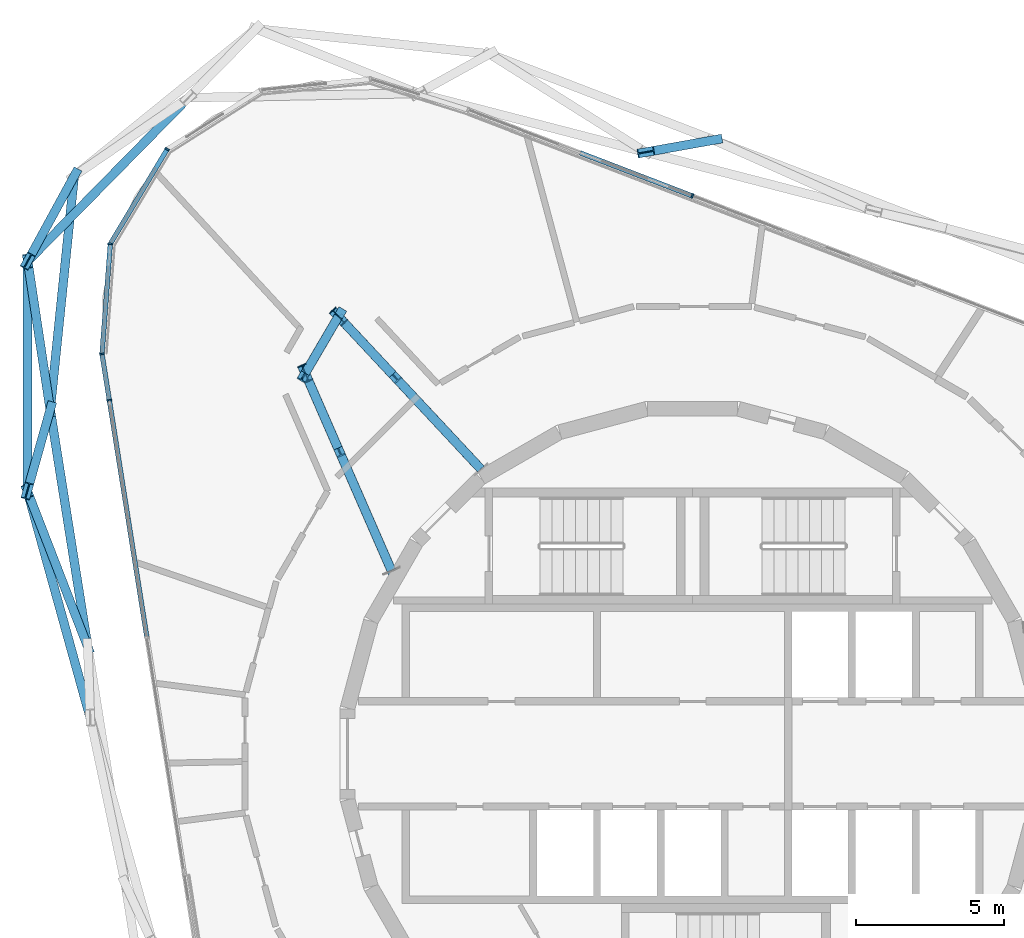
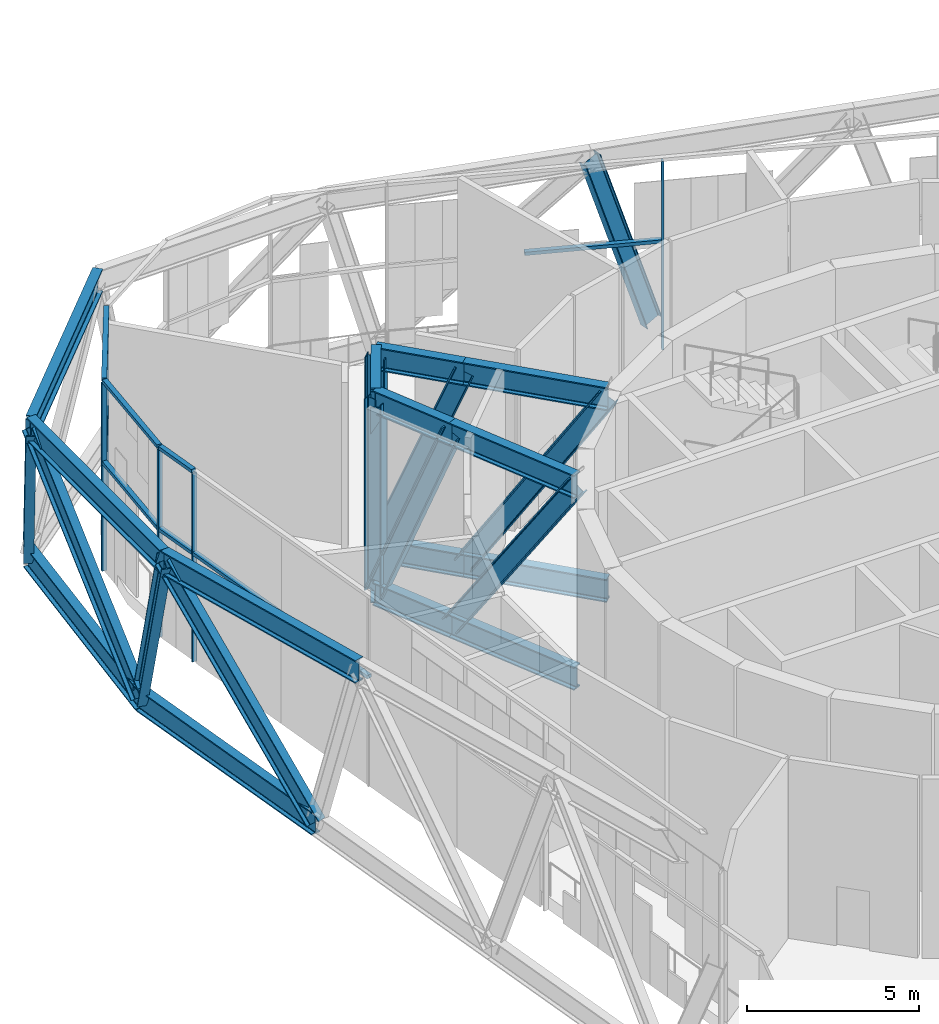
# One storey, part 6 of 25: 41 members, 3 elements without a shape of their own.
"""IFC4 building model written with IfcOpenShell, lengths in metres."""

from ifc_helpers import new_model, si_unit, direction, frame, origin, origin_2d, place, context, subcontext, project, spatial, rectangle, i_section, extrude, material, layer, layer_set, material_profile, profile_set, type_object, element, aggregate, save


model = new_model("IFC4")

# Units and contexts
model_context = context("Model", 3, precision=1e-05, world=origin(), true_north=direction((0.0, 1.0)))
body_context = subcontext(model_context, "Body", "Model", "MODEL_VIEW")
ifc_project = project(units=[si_unit("LENGTHUNIT", "METRE"), si_unit("AREAUNIT", "SQUARE_METRE"), si_unit("VOLUMEUNIT", "CUBIC_METRE"), si_unit("PLANEANGLEUNIT", "RADIAN"), si_unit("MASSUNIT", "GRAM", prefix="KILO")], contexts=[model_context])

# Site, building, storey
site_placement = place(None, origin())
site = spatial("IfcSite", under=ifc_project, at=site_placement, CompositionType="ELEMENT")
building_placement = place(site_placement, origin())
building = spatial("IfcBuilding", under=site, at=building_placement, Name="Spindle Arch Residences", CompositionType="ELEMENT")
storey_placement = place(building_placement, frame((0.0, 0.0, 291.39990234375)))
storey = spatial("IfcBuildingStorey", under=building, at=storey_placement, Name="L75", CompositionType="ELEMENT", Elevation=291.39990234375)

# Members
ifc_material_1 = material(Name="Steel S460ML, intumescent coating R 240", Category="steel")
ifc_material_profile_1 = material_profile(ifc_material_1, i_section(OverallWidth=0.302978515625, OverallDepth=0.81396484375, WebThickness=0.02099609375, FlangeThickness=0.0400390625, FilletRadius=0.030029296875, at=origin_2d()), Name="HEM 800")
ifc_profile_set_1 = profile_set([ifc_material_profile_1], Name="Steel S460ML, intumescent coating R 240")
member_type_1 = type_object("IfcMemberType", Name="Belt truss chord HEM 800", PredefinedType="CHORD", material=ifc_profile_set_1)
member_1_placement = place(storey_placement, frame((-20.870361328125, 19.502685546875, -0.85693359375), z_axis=(-0.102195279629, -0.994764356429, 0.0), x_axis=(0.994764356429, -0.102195279629, 0.0)))
element("IfcMember", 1, at=member_1_placement, inside=storey, type_object=member_type_1, Name="Belt truss bottom chord L75.11", PredefinedType="CHORD", context=body_context, shape_type="SweptSolid", body=[
    extrude(i_section(OverallWidth=0.302978515625, OverallDepth=0.81396484375, WebThickness=0.02099609375, FlangeThickness=0.0400390625, FilletRadius=0.030029296875, at=origin_2d()), origin(), (0.0, 0.0, 1.0), 7.928955078125),
])
member_2_placement = place(storey_placement, frame((-21.6806640625, 11.615234375, -0.85693359375), z_axis=(0.15643883454, -0.987687648524, 0.0), x_axis=(0.987687648524, 0.15643883454, 0.0)))
element("IfcMember", 2, at=member_2_placement, inside=storey, type_object=member_type_1, Name="Belt truss bottom chord L75.12", PredefinedType="CHORD", context=body_context, shape_type="SweptSolid", body=[
    extrude(i_section(OverallWidth=0.302978515625, OverallDepth=0.81396484375, WebThickness=0.02099609375, FlangeThickness=0.0400390625, FilletRadius=0.030029296875, at=origin_2d()), origin(), (0.0, 0.0, 1.0), 8.107421875),
])
member_3_placement = place(storey_placement, frame((-17.0185546875, 22.144775390625, 5.943115234375), z_axis=(-0.700907435334, -0.71325224647, 0.0), x_axis=(0.71325224647, -0.700907435334, 0.0)))
element("IfcMember", 3, at=member_3_placement, inside=storey, type_object=member_type_1, Name="Belt truss top chord L75.10", PredefinedType="CHORD", context=body_context, shape_type="SweptSolid", body=[
    extrude(i_section(OverallWidth=0.302978515625, OverallDepth=0.81396484375, WebThickness=0.02099609375, FlangeThickness=0.0400390625, FilletRadius=0.030029296875, at=origin_2d()), origin(), (0.0, 0.0, 1.0), 7.732666015625),
])
member_4_placement = place(storey_placement, frame((-22.4384765625, 16.62939453125, 5.943115234375), z_axis=(-0.001699125957, -0.999998556484, 0.0), x_axis=(0.999998556484, -0.001699125957, 0.0)))
element("IfcMember", 4, at=member_4_placement, inside=storey, type_object=member_type_1, Name="Belt truss top chord L75.11", PredefinedType="CHORD", context=body_context, shape_type="SweptSolid", body=[
    extrude(i_section(OverallWidth=0.302978515625, OverallDepth=0.81396484375, WebThickness=0.02099609375, FlangeThickness=0.0400390625, FilletRadius=0.030029296875, at=origin_2d()), origin(), (0.0, 0.0, 1.0), 7.759033203125),
])
member_5_placement = place(storey_placement, frame((-22.45166015625, 8.870361328125, 5.943115234375), z_axis=(0.26724395521, -0.963628905961, 0.0), x_axis=(0.963628905961, 0.26724395521, 0.0)))
element("IfcMember", 5, at=member_5_placement, inside=storey, type_object=member_type_1, Name="Belt truss top chord L75.12", PredefinedType="CHORD", context=body_context, shape_type="SweptSolid", body=[
    extrude(i_section(OverallWidth=0.302978515625, OverallDepth=0.81396484375, WebThickness=0.02099609375, FlangeThickness=0.0400390625, FilletRadius=0.030029296875, at=origin_2d()), origin(), (0.0, 0.0, 1.0), 7.93505859375),
])
ifc_material_2 = material(Name="Steel S460ML, intumescent coating R 240", Category="steel")
ifc_material_profile_2 = material_profile(ifc_material_2, i_section(OverallWidth=0.300048828125, OverallDepth=0.60009765625, WebThickness=0.015380859375, FlangeThickness=0.030029296875, FilletRadius=0.027099609375, at=origin_2d()), Name="HEB 600")
ifc_profile_set_2 = profile_set([ifc_material_profile_2], Name="Steel S460ML, intumescent coating R 240")
member_type_2 = type_object("IfcMemberType", Name="Belt truss diagonal HEB 600", PredefinedType="BRACE", material=ifc_profile_set_2)
member_6_placement = place(storey_placement, frame((0.715087890625, 20.71630859375, -0.85693359375), z_axis=(-0.319094609411, -0.056992097349, 0.946007680246), x_axis=(0.175823277356, -0.98442174658, 0.0)))
element("IfcMember", 6, at=member_6_placement, inside=storey, type_object=member_type_2, Name="Belt truss diagonal L75.8.8", PredefinedType="BRACE", context=body_context, shape_type="SweptSolid", body=[
    extrude(i_section(OverallWidth=0.300048828125, OverallDepth=0.60009765625, WebThickness=0.015380859375, FlangeThickness=0.030029296875, FilletRadius=0.027099609375, at=origin_2d()), origin(), (0.0, 0.0, 1.0), 7.188232421875),
])
member_7_placement = place(storey_placement, frame((-20.870361328125, 19.502685546875, -0.85693359375), z_axis=(-0.207783150793, -0.380725502363, 0.901040650635), x_axis=(0.877784385175, -0.479055918598, 0.0)))
element("IfcMember", 7, at=member_7_placement, inside=storey, type_object=member_type_2, Name="Belt truss diagonal L75.11.11", PredefinedType="BRACE", context=body_context, shape_type="SweptSolid", body=[
    extrude(i_section(OverallWidth=0.300048828125, OverallDepth=0.60009765625, WebThickness=0.015380859375, FlangeThickness=0.030029296875, FilletRadius=0.027099609375, at=origin_2d()), origin(), (0.0, 0.0, 1.0), 7.546875),
])
member_8_placement = place(storey_placement, frame((-21.6806640625, 11.615234375, -0.85693359375), z_axis=(-0.089335897953, 0.591102020668, 0.801634267293), x_axis=(-0.988771185413, -0.149437421342, 0.0)))
element("IfcMember", 8, at=member_8_placement, inside=storey, type_object=member_type_2, Name="Belt truss diagonal L75.11.12", PredefinedType="BRACE", context=body_context, shape_type="SweptSolid", body=[
    extrude(i_section(OverallWidth=0.300048828125, OverallDepth=0.60009765625, WebThickness=0.015380859375, FlangeThickness=0.030029296875, FilletRadius=0.027099609375, at=origin_2d()), origin(), (0.0, 0.0, 1.0), 8.482666015625),
])
member_9_placement = place(storey_placement, frame((-21.6806640625, 11.615234375, -0.85693359375), z_axis=(-0.10456222097, -0.372258723992, 0.922220247207), x_axis=(0.962742250235, -0.270420708551, 0.0)))
element("IfcMember", 9, at=member_9_placement, inside=storey, type_object=member_type_2, Name="Belt truss diagonal L75.12.12", PredefinedType="BRACE", context=body_context, shape_type="SweptSolid", body=[
    extrude(i_section(OverallWidth=0.300048828125, OverallDepth=0.60009765625, WebThickness=0.015380859375, FlangeThickness=0.030029296875, FilletRadius=0.027099609375, at=origin_2d()), origin(), (0.0, 0.0, 1.0), 7.37353515625),
])
member_10_placement = place(storey_placement, frame((-20.412353515625, 3.607666015625, -0.85693359375), z_axis=(-0.230764932529, 0.595518841804, 0.76948349883), x_axis=(-0.9324407365, -0.361322948227, 0.0)))
element("IfcMember", 10, at=member_10_placement, inside=storey, type_object=member_type_2, Name="Belt truss diagonal L75.12.13", PredefinedType="BRACE", context=body_context, shape_type="SweptSolid", body=[
    extrude(i_section(OverallWidth=0.300048828125, OverallDepth=0.60009765625, WebThickness=0.015380859375, FlangeThickness=0.030029296875, FilletRadius=0.027099609375, at=origin_2d()), origin(), (0.0, 0.0, 1.0), 8.837158203125),
])

# Curtain wall, member
ifc_material_3 = material(Name="Aluminium bronze unitised frame with tinted glass", Category="aluminium")
ifc_layer = layer(ifc_material_3, 0.159912109375)
ifc_layer_set = layer_set([ifc_layer], Name="CW-E double-height winter garden wall")
curtain_wall_type = type_object("IfcCurtainWallType", Name="CW-E double-height winter garden wall", PredefinedType="NOTDEFINED", material=ifc_layer_set)
curtain_wall_1_placement = place(storey_placement, origin())
curtain_wall_1 = element("IfcCurtainWall", 11, at=curtain_wall_1_placement, inside=storey, type_object=curtain_wall_type, Name="CW-E L75 run 2", PredefinedType="NOTDEFINED")
ifc_material_4 = material(Name="Aluminium bronze anodised mullion", Category="aluminium")
ifc_material_profile_3 = material_profile(ifc_material_4, rectangle(XDim=0.159912109375, YDim=0.06005859375, at=origin_2d()), Name="MU 60x160")
ifc_profile_set_3 = profile_set([ifc_material_profile_3], Name="Aluminium bronze anodised mullion")
member_type_3 = type_object("IfcMemberType", Name="Bronze mullion 60x160", PredefinedType="MULLION", material=ifc_profile_set_3)
member_11_placement = place(storey_placement, frame((-0.0087890625, 18.830322265625, -0.449951171875), z_axis=(0.0, 0.0, 1.0), x_axis=(-0.358367949545, -0.933580426497, 0.0)))
member_11 = element("IfcMember", 12, at=member_11_placement, type_object=member_type_3, Name="CW-E mullion 07", PredefinedType="MULLION", context=body_context, shape_type="SweptSolid", body=[
    extrude(rectangle(XDim=0.159912109375, YDim=0.06005859375, at=origin_2d()), origin(), (0.0, 0.0, 1.0), 6.679931640625),
])

# Curtain wall, members
curtain_wall_2_placement = place(storey_placement, origin())
curtain_wall_2 = element("IfcCurtainWall", 13, at=curtain_wall_2_placement, inside=storey, type_object=curtain_wall_type, Name="CW-E L75 run 3", PredefinedType="NOTDEFINED")
member_12_placement = place(storey_placement, frame((-17.732421875, 20.406982421875, -0.449951171875), z_axis=(0.0, 0.0, 1.0), x_axis=(0.857167301925, -0.515038072875, 0.0)))
member_12 = element("IfcMember", 14, at=member_12_placement, type_object=member_type_3, Name="CW-E mullion 03", PredefinedType="MULLION", context=body_context, shape_type="SweptSolid", body=[
    extrude(rectangle(XDim=0.159912109375, YDim=0.06005859375, at=origin_2d()), origin(), (0.0, 0.0, 1.0), 6.679931640625),
])
member_13_placement = place(storey_placement, frame((-19.65185546875, 17.212646484375, -0.449951171875), z_axis=(0.0, 0.0, 1.0), x_axis=(0.997141344139, -0.07555884997, 0.0)))
member_13 = element("IfcMember", 15, at=member_13_placement, type_object=member_type_3, Name="CW-E mullion 04", PredefinedType="MULLION", context=body_context, shape_type="SweptSolid", body=[
    extrude(rectangle(XDim=0.159912109375, YDim=0.06005859375, at=origin_2d()), origin(), (0.0, 0.0, 1.0), 6.679931640625),
])
member_14_placement = place(storey_placement, frame((-19.933349609375, 13.49658203125, -0.449951171875), z_axis=(0.0, 0.0, 1.0), x_axis=(0.987688340595, 0.15643446504, 0.0)))
member_14 = element("IfcMember", 16, at=member_14_placement, type_object=member_type_3, Name="CW-E mullion 05", PredefinedType="MULLION", context=body_context, shape_type="SweptSolid", body=[
    extrude(rectangle(XDim=0.159912109375, YDim=0.06005859375, at=origin_2d()), origin(), (0.0, 0.0, 1.0), 6.679931640625),
])

# Curtain wall, member
curtain_wall_3_placement = place(storey_placement, origin())
curtain_wall_3 = element("IfcCurtainWall", 17, at=curtain_wall_3_placement, inside=storey, type_object=curtain_wall_type, Name="CW-E L75 run 4", PredefinedType="NOTDEFINED")
member_15_placement = place(storey_placement, frame((-19.685546875, 11.931396484375, -0.449951171875), z_axis=(0.0, 0.0, 1.0), x_axis=(0.987688340595, 0.15643446504, 0.0)))
member_15 = element("IfcMember", 18, at=member_15_placement, type_object=member_type_3, Name="CW-E mullion 11", PredefinedType="MULLION", context=body_context, shape_type="SweptSolid", body=[
    extrude(rectangle(XDim=0.159912109375, YDim=0.06005859375, at=origin_2d()), origin(), (0.0, 0.0, 1.0), 6.679931640625),
])

# Member
ifc_material_5 = material(Name="Aluminium bronze anodised transom", Category="aluminium")
ifc_material_profile_4 = material_profile(ifc_material_5, rectangle(XDim=0.159912109375, YDim=0.1201171875, at=origin_2d()), Name="TR 120x160")
ifc_profile_set_4 = profile_set([ifc_material_profile_4], Name="Aluminium bronze anodised transom")
member_type_4 = type_object("IfcMemberType", Name="Bronze transom 120x160", PredefinedType="USERDEFINED", material=ifc_profile_set_4)
member_16_placement = place(storey_placement, frame((-0.03662109375, 18.841064453125, 3.400146484375), z_axis=(-0.933570599556, 0.358393548553, 0.0), x_axis=(-0.358393548553, -0.933570599556, 0.0)))
member_16 = element("IfcMember", 19, at=member_16_placement, type_object=member_type_4, Name="CW-E transom 07Am", ObjectType="TRANSOM", PredefinedType="USERDEFINED", context=body_context, shape_type="SweptSolid", body=[
    extrude(rectangle(XDim=0.159912109375, YDim=0.1201171875, at=origin_2d()), origin(), (0.0, 0.0, 1.0), 4.02392578125),
])

aggregate(curtain_wall_1, [member_11, member_16])

member_17_placement = place(storey_placement, frame((-17.747802734375, 20.38134765625, 6.2900390625), z_axis=(-0.515014612012, -0.857181398196, 0.0), x_axis=(0.857181398196, -0.515014612012, 0.0)))
member_17 = element("IfcMember", 20, at=member_17_placement, type_object=member_type_4, Name="CW-E transom 03", ObjectType="TRANSOM", PredefinedType="USERDEFINED", context=body_context, shape_type="SweptSolid", body=[
    extrude(rectangle(XDim=0.159912109375, YDim=0.1201171875, at=origin_2d()), origin(), (0.0, 0.0, 1.0), 3.666748046875),
])

member_18_placement = place(storey_placement, frame((-17.747802734375, 20.38134765625, 3.400146484375), z_axis=(-0.515014612012, -0.857181398196, 0.0), x_axis=(0.857181398196, -0.515014612012, 0.0)))
member_18 = element("IfcMember", 21, at=member_18_placement, type_object=member_type_4, Name="CW-E transom 03m", ObjectType="TRANSOM", PredefinedType="USERDEFINED", context=body_context, shape_type="SweptSolid", body=[
    extrude(rectangle(XDim=0.159912109375, YDim=0.1201171875, at=origin_2d()), origin(), (0.0, 0.0, 1.0), 3.666748046875),
])

member_19_placement = place(storey_placement, frame((-19.654052734375, 17.1826171875, 6.2900390625), z_axis=(-0.07557120479, -0.99714040787, 0.0), x_axis=(0.99714040787, -0.07557120479, 0.0)))
member_19 = element("IfcMember", 22, at=member_19_placement, type_object=member_type_4, Name="CW-E transom 04", ObjectType="TRANSOM", PredefinedType="USERDEFINED", context=body_context, shape_type="SweptSolid", body=[
    extrude(rectangle(XDim=0.159912109375, YDim=0.1201171875, at=origin_2d()), origin(), (0.0, 0.0, 1.0), 3.666748046875),
])

member_20_placement = place(storey_placement, frame((-19.654052734375, 17.1826171875, 3.400146484375), z_axis=(-0.07557120479, -0.99714040787, 0.0), x_axis=(0.99714040787, -0.07557120479, 0.0)))
member_20 = element("IfcMember", 23, at=member_20_placement, type_object=member_type_4, Name="CW-E transom 04m", ObjectType="TRANSOM", PredefinedType="USERDEFINED", context=body_context, shape_type="SweptSolid", body=[
    extrude(rectangle(XDim=0.159912109375, YDim=0.1201171875, at=origin_2d()), origin(), (0.0, 0.0, 1.0), 3.666748046875),
])

member_21_placement = place(storey_placement, frame((-19.9287109375, 13.466796875, 6.2900390625), z_axis=(0.156447707445, -0.987686243113, 0.0), x_axis=(0.987686243113, 0.156447707445, 0.0)))
member_21 = element("IfcMember", 24, at=member_21_placement, type_object=member_type_4, Name="CW-E transom 05", ObjectType="TRANSOM", PredefinedType="USERDEFINED", context=body_context, shape_type="SweptSolid", body=[
    extrude(rectangle(XDim=0.159912109375, YDim=0.1201171875, at=origin_2d()), origin(), (0.0, 0.0, 1.0), 1.524658203125),
])

member_22_placement = place(storey_placement, frame((-19.9287109375, 13.466796875, 3.400146484375), z_axis=(0.156447707445, -0.987686243113, 0.0), x_axis=(0.987686243113, 0.156447707445, 0.0)))
member_22 = element("IfcMember", 25, at=member_22_placement, type_object=member_type_4, Name="CW-E transom 05m", ObjectType="TRANSOM", PredefinedType="USERDEFINED", context=body_context, shape_type="SweptSolid", body=[
    extrude(rectangle(XDim=0.159912109375, YDim=0.1201171875, at=origin_2d()), origin(), (0.0, 0.0, 1.0), 1.524658203125),
])

aggregate(curtain_wall_2, [member_12, member_17, member_18, member_13, member_19, member_20, member_14, member_21, member_22])

member_23_placement = place(storey_placement, frame((-19.6806640625, 11.901611328125, 3.400146484375), z_axis=(0.156423696933, -0.987690046036, 0.0), x_axis=(0.987690046036, 0.156423696933, 0.0)))
member_23 = element("IfcMember", 26, at=member_23_placement, type_object=member_type_4, Name="CW-E transom 11Am", ObjectType="TRANSOM", PredefinedType="USERDEFINED", context=body_context, shape_type="SweptSolid", body=[
    extrude(rectangle(XDim=0.159912109375, YDim=0.1201171875, at=origin_2d()), origin(), (0.0, 0.0, 1.0), 4.023681640625),
])

member_24_placement = place(storey_placement, frame((-19.05126953125, 7.927490234375, 3.400146484375), z_axis=(0.156414323101, -0.987691530554, 0.0), x_axis=(0.987691530554, 0.156414323101, 0.0)))
member_24 = element("IfcMember", 27, at=member_24_placement, type_object=member_type_4, Name="CW-E transom 11Bm", ObjectType="TRANSOM", PredefinedType="USERDEFINED", context=body_context, shape_type="SweptSolid", body=[
    extrude(rectangle(XDim=0.159912109375, YDim=0.1201171875, at=origin_2d()), origin(), (0.0, 0.0, 1.0), 4.02392578125),
])

aggregate(curtain_wall_3, [member_15, member_23, member_24])

# Members
ifc_material_6 = material(Name="Steel S460ML, intumescent coating R 240", Category="steel")
ifc_material_profile_5 = material_profile(ifc_material_6, i_section(OverallWidth=0.302978515625, OverallDepth=0.81396484375, WebThickness=0.02099609375, FlangeThickness=0.0400390625, FilletRadius=0.030029296875, at=origin_2d()), Name="HEM 800")
ifc_profile_set_5 = profile_set([ifc_material_profile_5], Name="Steel S460ML, intumescent coating R 240")
member_type_5 = type_object("IfcMemberType", Name="Transfer truss chord HEM 800", PredefinedType="CHORD", material=ifc_profile_set_5)
for number, where, z_axis, x_axis, name in (
    (28, (-7.1455078125, 9.6123046875, -0.85693359375), (-0.682515411834, 0.730871201108, 0.0), (-0.730871201108, -0.682515411834, 0.0), "Transfer truss chord L75"),
    (29, (-7.1455078125, 9.6123046875, 5.943115234375), (-0.682515411834, 0.730871201108, 0.0), (-0.730871201108, -0.682515411834, 0.0), "Transfer truss chord L75"),
):
    element("IfcMember", number, at=place(storey_placement, frame(where, z_axis=z_axis, x_axis=x_axis)), inside=storey, type_object=member_type_5, Name=name, PredefinedType="CHORD", context=body_context, shape_type="SweptSolid", body=[
        extrude(i_section(OverallWidth=0.302978515625, OverallDepth=0.81396484375, WebThickness=0.02099609375, FlangeThickness=0.0400390625, FilletRadius=0.030029296875, at=origin_2d()), origin(), (0.0, 0.0, 1.0), 4.3671875),
    ])
for number, where, z_axis, x_axis, name in (
    (30, (-10.126220703125, 12.80419921875, -0.85693359375), (-0.682474232799, 0.730909653491, 0.0), (-0.730909653491, -0.682474232799, 0.0), "Transfer truss chord L75"),
    (31, (-10.126220703125, 12.80419921875, 5.943115234375), (-0.682474232799, 0.730909653491, 0.0), (-0.730909653491, -0.682474232799, 0.0), "Transfer truss chord L75"),
):
    element("IfcMember", number, at=place(storey_placement, frame(where, z_axis=z_axis, x_axis=x_axis)), inside=storey, type_object=member_type_5, Name=name, PredefinedType="CHORD", context=body_context, shape_type="SweptSolid", body=[
        extrude(i_section(OverallWidth=0.302978515625, OverallDepth=0.81396484375, WebThickness=0.02099609375, FlangeThickness=0.0400390625, FilletRadius=0.030029296875, at=origin_2d()), origin(), (0.0, 0.0, 1.0), 2.676513671875),
    ])
for number, where, z_axis, x_axis, name in (
    (32, (-11.952880859375, 14.760498046875, -0.85693359375), (-0.505301211854, -0.862943037111, 0.0), (0.862943037111, -0.505301211854, 0.0), "Transfer truss chord L75"),
    (33, (-11.952880859375, 14.760498046875, 5.943115234375), (-0.505301211854, -0.862943037111, 0.0), (0.862943037111, -0.505301211854, 0.0), "Transfer truss chord L75"),
):
    element("IfcMember", number, at=place(storey_placement, frame(where, z_axis=z_axis, x_axis=x_axis)), inside=storey, type_object=member_type_5, Name=name, PredefinedType="CHORD", context=body_context, shape_type="SweptSolid", body=[
        extrude(i_section(OverallWidth=0.302978515625, OverallDepth=0.81396484375, WebThickness=0.02099609375, FlangeThickness=0.0400390625, FilletRadius=0.030029296875, at=origin_2d()), origin(), (0.0, 0.0, 1.0), 2.21728515625),
    ])
for number, where, z_axis, x_axis, name in (
    (34, (-10.1640625, 6.190185546875, -0.85693359375), (-0.400457681166, 0.916315254481, 0.0), (-0.916315254481, -0.400457681166, 0.0), "Transfer truss chord L75"),
    (35, (-10.1640625, 6.190185546875, 5.943115234375), (-0.400457681166, 0.916315254481, 0.0), (-0.916315254481, -0.400457681166, 0.0), "Transfer truss chord L75"),
):
    element("IfcMember", number, at=place(storey_placement, frame(where, z_axis=z_axis, x_axis=x_axis)), inside=storey, type_object=member_type_5, Name=name, PredefinedType="CHORD", context=body_context, shape_type="SweptSolid", body=[
        extrude(i_section(OverallWidth=0.302978515625, OverallDepth=0.81396484375, WebThickness=0.02099609375, FlangeThickness=0.0400390625, FilletRadius=0.030029296875, at=origin_2d()), origin(), (0.0, 0.0, 1.0), 4.504150390625),
    ])
for number, where, z_axis, x_axis, name in (
    (36, (-11.9677734375, 10.3173828125, -0.85693359375), (-0.400419837479, 0.916331792394, 0.0), (-0.916331792394, -0.400419837479, 0.0), "Transfer truss chord L75"),
    (37, (-11.9677734375, 10.3173828125, 5.943115234375), (-0.400419837479, 0.916331792394, 0.0), (-0.916331792394, -0.400419837479, 0.0), "Transfer truss chord L75"),
):
    element("IfcMember", number, at=place(storey_placement, frame(where, z_axis=z_axis, x_axis=x_axis)), inside=storey, type_object=member_type_5, Name=name, PredefinedType="CHORD", context=body_context, shape_type="SweptSolid", body=[
        extrude(i_section(OverallWidth=0.302978515625, OverallDepth=0.81396484375, WebThickness=0.02099609375, FlangeThickness=0.0400390625, FilletRadius=0.030029296875, at=origin_2d()), origin(), (0.0, 0.0, 1.0), 2.7607421875),
    ])
ifc_material_7 = material(Name="Steel S460ML, intumescent coating R 240", Category="steel")
ifc_material_profile_6 = material_profile(ifc_material_7, i_section(OverallWidth=0.304931640625, OverallDepth=0.6201171875, WebThickness=0.02099609375, FlangeThickness=0.0400390625, FilletRadius=0.027099609375, at=origin_2d()), Name="HEM 600")
ifc_profile_set_6 = profile_set([ifc_material_profile_6], Name="Steel S460ML, intumescent coating R 240")
member_type_6 = type_object("IfcMemberType", Name="Transfer truss diagonal HEM 600", PredefinedType="BRACE", material=ifc_profile_set_6)
member_25_placement = place(storey_placement, frame((-10.126220703125, 12.80419921875, -0.85693359375), z_axis=(0.368823558347, -0.394954476355, 0.841415559884), x_axis=(0.730871201108, 0.682515411834, 0.0)))
element("IfcMember", 38, at=member_25_placement, inside=storey, type_object=member_type_6, Name="Transfer truss diagonal L75", PredefinedType="BRACE", context=body_context, shape_type="SweptSolid", body=[
    extrude(i_section(OverallWidth=0.304931640625, OverallDepth=0.6201171875, WebThickness=0.02099609375, FlangeThickness=0.0400390625, FilletRadius=0.027099609375, at=origin_2d()), origin(), (0.0, 0.0, 1.0), 8.081787109375),
])
member_26_placement = place(storey_placement, frame((-11.952880859375, 14.760498046875, -0.85693359375), z_axis=(0.249959130984, -0.267698812694, 0.930514792209), x_axis=(0.730909653491, 0.682474232799, 0.0)))
element("IfcMember", 39, at=member_26_placement, inside=storey, type_object=member_type_6, Name="Transfer truss diagonal L75", PredefinedType="BRACE", context=body_context, shape_type="SweptSolid", body=[
    extrude(i_section(OverallWidth=0.304931640625, OverallDepth=0.6201171875, WebThickness=0.02099609375, FlangeThickness=0.0400390625, FilletRadius=0.027099609375, at=origin_2d()), origin(), (0.0, 0.0, 1.0), 7.307861328125),
])
member_27_placement = place(storey_placement, frame((-11.952880859375, 14.760498046875, -0.85693359375), z_axis=(-0.156641497171, -0.267509133434, 0.950737768732), x_axis=(0.862943037111, -0.505301211854, 0.0)))
element("IfcMember", 40, at=member_27_placement, inside=storey, type_object=member_type_6, Name="Transfer truss diagonal L75", PredefinedType="BRACE", context=body_context, shape_type="SweptSolid", body=[
    extrude(i_section(OverallWidth=0.304931640625, OverallDepth=0.6201171875, WebThickness=0.02099609375, FlangeThickness=0.0400390625, FilletRadius=0.027099609375, at=origin_2d()), origin(), (0.0, 0.0, 1.0), 7.15234375),
])
member_28_placement = place(storey_placement, frame((-11.9677734375, 10.3173828125, -0.85693359375), z_axis=(0.221139017531, -0.506003666941, 0.833701279817), x_axis=(0.916315254481, 0.400457681166, 0.0)))
element("IfcMember", 41, at=member_28_placement, inside=storey, type_object=member_type_6, Name="Transfer truss diagonal L75", PredefinedType="BRACE", context=body_context, shape_type="SweptSolid", body=[
    extrude(i_section(OverallWidth=0.304931640625, OverallDepth=0.6201171875, WebThickness=0.02099609375, FlangeThickness=0.0400390625, FilletRadius=0.027099609375, at=origin_2d()), origin(), (0.0, 0.0, 1.0), 8.156494140625),
])
member_29_placement = place(storey_placement, frame((-13.0732421875, 12.84716796875, -0.85693359375), z_axis=(0.150627081984, -0.344699165971, 0.926549495252), x_axis=(0.916331792394, 0.400419837479, 0.0)))
element("IfcMember", 42, at=member_29_placement, inside=storey, type_object=member_type_6, Name="Transfer truss diagonal L75", PredefinedType="BRACE", context=body_context, shape_type="SweptSolid", body=[
    extrude(i_section(OverallWidth=0.304931640625, OverallDepth=0.6201171875, WebThickness=0.02099609375, FlangeThickness=0.0400390625, FilletRadius=0.027099609375, at=origin_2d()), origin(), (0.0, 0.0, 1.0), 7.339111328125),
])
ifc_material_8 = material(Name="Steel S460ML, intumescent coating R 240", Category="steel")
ifc_material_profile_7 = material_profile(ifc_material_8, i_section(OverallWidth=0.300048828125, OverallDepth=0.60009765625, WebThickness=0.015380859375, FlangeThickness=0.030029296875, FilletRadius=0.027099609375, at=origin_2d()), Name="HEB 600")
ifc_profile_set_7 = profile_set([ifc_material_profile_7], Name="Steel S460ML, intumescent coating R 240")
member_type_7 = type_object("IfcMemberType", Name="Transfer truss post HEB 600", PredefinedType="POST", material=ifc_profile_set_7)
member_30_placement = place(storey_placement, frame((-11.952880859375, 14.760498046875, -0.449951171875), z_axis=(0.0, 0.0, 1.0), x_axis=(0.730901449837, 0.682483018562, 0.0)))
element("IfcMember", 43, at=member_30_placement, inside=storey, type_object=member_type_7, Name="Transfer truss post L75", PredefinedType="POST", context=body_context, shape_type="SweptSolid", body=[
    extrude(i_section(OverallWidth=0.300048828125, OverallDepth=0.60009765625, WebThickness=0.015380859375, FlangeThickness=0.030029296875, FilletRadius=0.027099609375, at=origin_2d()), origin(), (0.0, 0.0, 1.0), 6.39306640625),
])
member_31_placement = place(storey_placement, frame((-13.0732421875, 12.84716796875, -0.85693359375), z_axis=(0.0, 0.0, 1.0), x_axis=(0.916315266859, 0.400457652844, 0.0)))
element("IfcMember", 44, at=member_31_placement, inside=storey, type_object=member_type_7, Name="Transfer truss post L75", PredefinedType="POST", context=body_context, shape_type="SweptSolid", body=[
    extrude(i_section(OverallWidth=0.300048828125, OverallDepth=0.60009765625, WebThickness=0.015380859375, FlangeThickness=0.030029296875, FilletRadius=0.027099609375, at=origin_2d()), origin(), (0.0, 0.0, 1.0), 6.800048828125),
])

save(model, "model.ifc")
